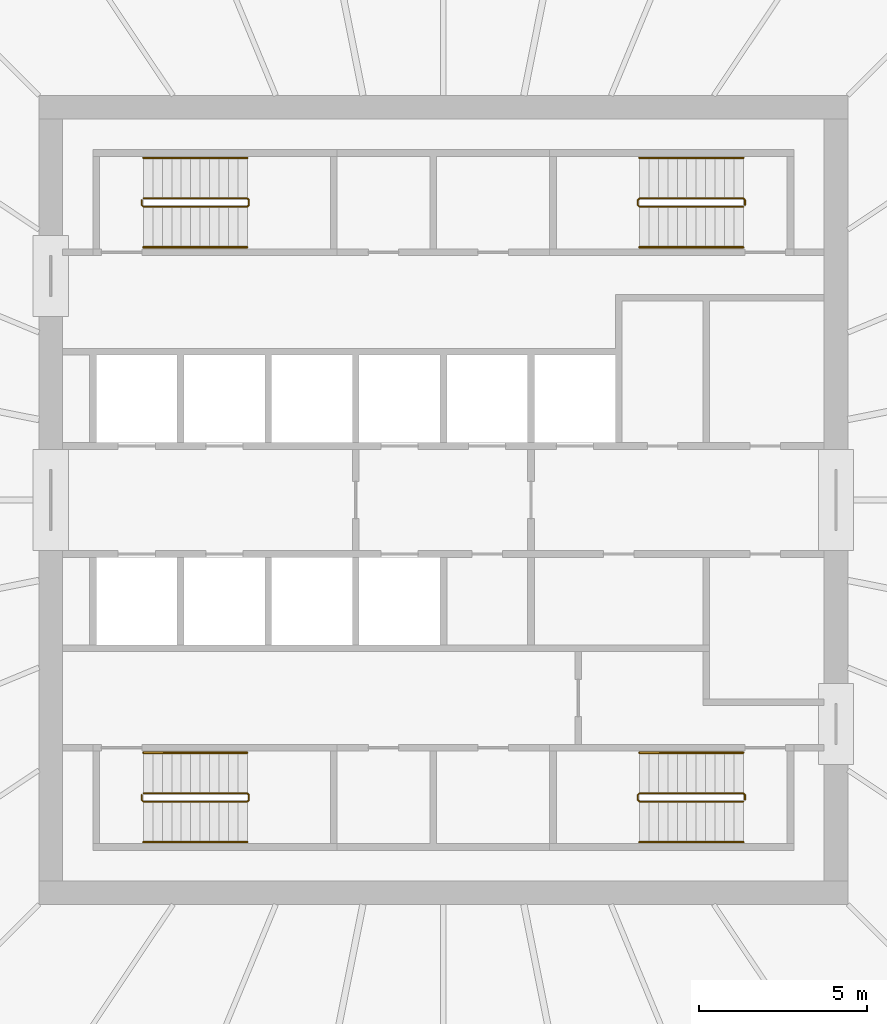
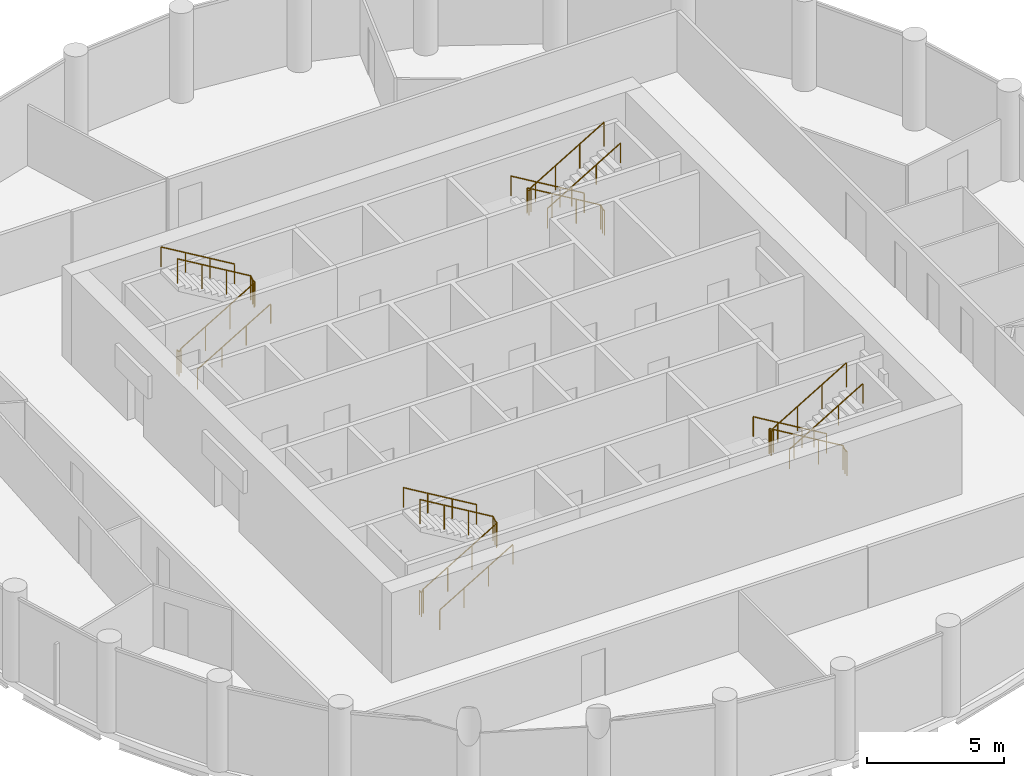
# One storey, part 7 of 7: 12 railings.
"""IFC4 building model written with IfcOpenShell, lengths in metres."""

from ifc_helpers import new_model, si_unit, direction, frame, origin, origin_2d, place, context, subcontext, project, spatial, circle, extrude, material, type_object, element, save


model = new_model("IFC4")

# Units and contexts
model_context = context("Model", 3, precision=1e-05, world=origin(), true_north=direction((0.0, 1.0)))
body_context = subcontext(model_context, "Body", "Model", "MODEL_VIEW")
ifc_project = project(units=[si_unit("LENGTHUNIT", "METRE"), si_unit("AREAUNIT", "SQUARE_METRE"), si_unit("VOLUMEUNIT", "CUBIC_METRE"), si_unit("PLANEANGLEUNIT", "RADIAN"), si_unit("MASSUNIT", "GRAM", prefix="KILO")], contexts=[model_context])

# Site, building, storey
site_placement = place(None, origin())
site = spatial("IfcSite", under=ifc_project, at=site_placement, CompositionType="ELEMENT")
building_placement = place(site_placement, origin())
building = spatial("IfcBuilding", under=site, at=building_placement, Name="Corvane Civic Tower", CompositionType="ELEMENT")
storey_placement = place(building_placement, frame((0.0, 0.0, 307.0)))
storey = spatial("IfcBuildingStorey", under=building, at=storey_placement, Name="L73", CompositionType="ELEMENT", Elevation=307.0)

# Railings
ifc_material_1 = material(Name="Steel ASTM A572 Gr 50", Category="steel")
railing_type_1 = type_object("IfcRailingType", Name="ST-GUARD-1100", PredefinedType="GUARDRAIL", material=ifc_material_1)
railing_1_placement = place(storey_placement, frame((8.949951171875, 8.75, 0.0)))
element("IfcRailing", 1, at=railing_1_placement, inside=storey, type_object=railing_type_1, Name="L73 ST1 stair guard 1", PredefinedType="GUARDRAIL", context=body_context, shape_type="SweptSolid", body=[
    extrude(circle(Radius=0.02392578125, at=origin_2d()), frame((0.0, 0.0, 1.076171875), z_axis=(0.0, 1.0, 0.0), x_axis=(-1.0, 0.0, 0.0)), (0.0, 0.0, 1.0), 0.14990234375),
    extrude(circle(Radius=0.02392578125, at=origin_2d()), frame((0.0, 0.14990234375, 1.076171875), z_axis=(-0.27628659633, 0.27628659633, 0.920506074601), x_axis=(-0.707106781187, -0.707106781187, 0.0)), (0.0, 0.0, 1.0), 0.18115234375),
    extrude(circle(Radius=0.02392578125, at=origin_2d()), frame((-0.050048828125, 0.199951171875, 1.24267578125), z_axis=(-0.859290745958, 0.0, 0.51148745235), x_axis=(0.0, -1.0, 0.0)), (0.0, 0.0, 1.0), 3.584228515625),
    extrude(circle(Radius=0.02392578125, at=origin_2d()), frame((-3.1298828125, 0.199951171875, 3.076171875), z_axis=(-0.707106781187, -0.707106781187, 0.0), x_axis=(0.707106781187, -0.707106781187, 0.0)), (0.0, 0.0, 1.0), 0.07080078125),
    extrude(circle(Radius=0.02392578125, at=origin_2d()), frame((-3.179931640625, 0.14990234375, 3.076171875), z_axis=(0.0, -1.0, 0.0), x_axis=(1.0, 0.0, 0.0)), (0.0, 0.0, 1.0), 0.14990234375),
    extrude(circle(Radius=0.02392578125, at=origin_2d()), frame((-3.179931640625, 0.0, 3.076171875), z_axis=(0.27628659633, -0.27628659633, 0.920506074601), x_axis=(0.707106781187, 0.707106781187, 0.0)), (0.0, 0.0, 1.0), 0.18115234375),
    extrude(circle(Radius=0.02392578125, at=origin_2d()), frame((-3.1298828125, -0.050048828125, 3.24267578125), z_axis=(0.859290745958, 0.0, 0.51148745235), x_axis=(0.0, 1.0, 0.0)), (0.0, 0.0, 1.0), 3.584228515625),
    extrude(circle(Radius=0.02099609375, at=origin_2d()), origin(), (0.0, 0.0, 1.0), 1.052001953125),
    extrude(circle(Radius=0.02099609375, at=origin_2d()), frame((0.0, 0.14990234375, 0.0)), (0.0, 0.0, 1.0), 1.052001953125),
    extrude(circle(Radius=0.02099609375, at=origin_2d()), frame((-0.050048828125, 0.199951171875, 0.166748046875)), (0.0, 0.0, 1.0), 1.052001953125),
    extrude(circle(Radius=0.02099609375, at=origin_2d()), frame((-1.07666015625, 0.199951171875, 0.77783203125)), (0.0, 0.0, 1.0), 1.052001953125),
    extrude(circle(Radius=0.02099609375, at=origin_2d()), frame((-2.103271484375, 0.199951171875, 1.388916015625)), (0.0, 0.0, 1.0), 1.052001953125),
    extrude(circle(Radius=0.02099609375, at=origin_2d()), frame((-3.1298828125, 0.199951171875, 2.0)), (0.0, 0.0, 1.0), 1.052001953125),
    extrude(circle(Radius=0.02099609375, at=origin_2d()), frame((-3.179931640625, 0.14990234375, 2.0)), (0.0, 0.0, 1.0), 1.052001953125),
    extrude(circle(Radius=0.02099609375, at=origin_2d()), frame((-3.179931640625, 0.0, 2.0)), (0.0, 0.0, 1.0), 1.052001953125),
    extrude(circle(Radius=0.02099609375, at=origin_2d()), frame((-3.1298828125, -0.050048828125, 2.166748046875)), (0.0, 0.0, 1.0), 1.052001953125),
    extrude(circle(Radius=0.02099609375, at=origin_2d()), frame((-2.103271484375, -0.050048828125, 2.77783203125)), (0.0, 0.0, 1.0), 1.052001953125),
    extrude(circle(Radius=0.02099609375, at=origin_2d()), frame((-1.07666015625, -0.050048828125, 3.388916015625)), (0.0, 0.0, 1.0), 1.052001953125),
    extrude(circle(Radius=0.02099609375, at=origin_2d()), frame((-0.050048828125, -0.050048828125, 4.0)), (0.0, 0.0, 1.0), 1.052001953125),
])
railing_2_placement = place(storey_placement, frame((8.949951171875, -8.89990234375, 0.0)))
element("IfcRailing", 2, at=railing_2_placement, inside=storey, type_object=railing_type_1, Name="L73 ST2 stair guard 1", PredefinedType="GUARDRAIL", context=body_context, shape_type="SweptSolid", body=[
    extrude(circle(Radius=0.02392578125, at=origin_2d()), frame((0.0, 0.0, 1.076171875), z_axis=(0.0, 1.0, 0.0), x_axis=(-1.0, 0.0, 0.0)), (0.0, 0.0, 1.0), 0.14990234375),
    extrude(circle(Radius=0.02392578125, at=origin_2d()), frame((0.0, 0.14990234375, 1.076171875), z_axis=(-0.27628659633, 0.27628659633, 0.920506074601), x_axis=(-0.707106781187, -0.707106781187, 0.0)), (0.0, 0.0, 1.0), 0.18115234375),
    extrude(circle(Radius=0.02392578125, at=origin_2d()), frame((-0.050048828125, 0.199951171875, 1.24267578125), z_axis=(-0.859290745958, 0.0, 0.51148745235), x_axis=(0.0, -1.0, 0.0)), (0.0, 0.0, 1.0), 3.584228515625),
    extrude(circle(Radius=0.02392578125, at=origin_2d()), frame((-3.1298828125, 0.199951171875, 3.076171875), z_axis=(-0.707106781187, -0.707106781187, 0.0), x_axis=(0.707106781187, -0.707106781187, 0.0)), (0.0, 0.0, 1.0), 0.07080078125),
    extrude(circle(Radius=0.02392578125, at=origin_2d()), frame((-3.179931640625, 0.14990234375, 3.076171875), z_axis=(0.0, -1.0, 0.0), x_axis=(1.0, 0.0, 0.0)), (0.0, 0.0, 1.0), 0.14990234375),
    extrude(circle(Radius=0.02392578125, at=origin_2d()), frame((-3.179931640625, 0.0, 3.076171875), z_axis=(0.27628659633, -0.27628659633, 0.920506074601), x_axis=(0.707106781187, 0.707106781187, 0.0)), (0.0, 0.0, 1.0), 0.18115234375),
    extrude(circle(Radius=0.02392578125, at=origin_2d()), frame((-3.1298828125, -0.050048828125, 3.24267578125), z_axis=(0.859290745958, 0.0, 0.51148745235), x_axis=(0.0, 1.0, 0.0)), (0.0, 0.0, 1.0), 3.584228515625),
    extrude(circle(Radius=0.02099609375, at=origin_2d()), origin(), (0.0, 0.0, 1.0), 1.052001953125),
    extrude(circle(Radius=0.02099609375, at=origin_2d()), frame((0.0, 0.14990234375, 0.0)), (0.0, 0.0, 1.0), 1.052001953125),
    extrude(circle(Radius=0.02099609375, at=origin_2d()), frame((-0.050048828125, 0.199951171875, 0.166748046875)), (0.0, 0.0, 1.0), 1.052001953125),
    extrude(circle(Radius=0.02099609375, at=origin_2d()), frame((-1.07666015625, 0.199951171875, 0.77783203125)), (0.0, 0.0, 1.0), 1.052001953125),
    extrude(circle(Radius=0.02099609375, at=origin_2d()), frame((-2.103271484375, 0.199951171875, 1.388916015625)), (0.0, 0.0, 1.0), 1.052001953125),
    extrude(circle(Radius=0.02099609375, at=origin_2d()), frame((-3.1298828125, 0.199951171875, 2.0)), (0.0, 0.0, 1.0), 1.052001953125),
    extrude(circle(Radius=0.02099609375, at=origin_2d()), frame((-3.179931640625, 0.14990234375, 2.0)), (0.0, 0.0, 1.0), 1.052001953125),
    extrude(circle(Radius=0.02099609375, at=origin_2d()), frame((-3.179931640625, 0.0, 2.0)), (0.0, 0.0, 1.0), 1.052001953125),
    extrude(circle(Radius=0.02099609375, at=origin_2d()), frame((-3.1298828125, -0.050048828125, 2.166748046875)), (0.0, 0.0, 1.0), 1.052001953125),
    extrude(circle(Radius=0.02099609375, at=origin_2d()), frame((-2.103271484375, -0.050048828125, 2.77783203125)), (0.0, 0.0, 1.0), 1.052001953125),
    extrude(circle(Radius=0.02099609375, at=origin_2d()), frame((-1.07666015625, -0.050048828125, 3.388916015625)), (0.0, 0.0, 1.0), 1.052001953125),
    extrude(circle(Radius=0.02099609375, at=origin_2d()), frame((-0.050048828125, -0.050048828125, 4.0)), (0.0, 0.0, 1.0), 1.052001953125),
])
railing_3_placement = place(storey_placement, frame((-8.949951171875, -8.75, 0.0)))
element("IfcRailing", 3, at=railing_3_placement, inside=storey, type_object=railing_type_1, Name="L73 ST3 stair guard 1", PredefinedType="GUARDRAIL", context=body_context, shape_type="SweptSolid", body=[
    extrude(circle(Radius=0.02392578125, at=origin_2d()), frame((0.0, 0.0, 1.076171875), z_axis=(0.0, -1.0, 0.0), x_axis=(1.0, 0.0, 0.0)), (0.0, 0.0, 1.0), 0.14990234375),
    extrude(circle(Radius=0.02392578125, at=origin_2d()), frame((0.0, -0.14990234375, 1.076171875), z_axis=(0.27628659633, -0.27628659633, 0.920506074601), x_axis=(0.707106781187, 0.707106781187, 0.0)), (0.0, 0.0, 1.0), 0.18115234375),
    extrude(circle(Radius=0.02392578125, at=origin_2d()), frame((0.050048828125, -0.199951171875, 1.24267578125), z_axis=(0.859290745958, 0.0, 0.51148745235), x_axis=(0.0, 1.0, 0.0)), (0.0, 0.0, 1.0), 3.584228515625),
    extrude(circle(Radius=0.02392578125, at=origin_2d()), frame((3.1298828125, -0.199951171875, 3.076171875), z_axis=(0.707106781187, 0.707106781187, 0.0), x_axis=(-0.707106781187, 0.707106781187, 0.0)), (0.0, 0.0, 1.0), 0.07080078125),
    extrude(circle(Radius=0.02392578125, at=origin_2d()), frame((3.179931640625, -0.14990234375, 3.076171875), z_axis=(0.0, 1.0, 0.0), x_axis=(-1.0, 0.0, 0.0)), (0.0, 0.0, 1.0), 0.14990234375),
    extrude(circle(Radius=0.02392578125, at=origin_2d()), frame((3.179931640625, 0.0, 3.076171875), z_axis=(-0.27628659633, 0.27628659633, 0.920506074601), x_axis=(-0.707106781187, -0.707106781187, 0.0)), (0.0, 0.0, 1.0), 0.18115234375),
    extrude(circle(Radius=0.02392578125, at=origin_2d()), frame((3.1298828125, 0.050048828125, 3.24267578125), z_axis=(-0.859290745958, 0.0, 0.51148745235), x_axis=(0.0, -1.0, 0.0)), (0.0, 0.0, 1.0), 3.584228515625),
    extrude(circle(Radius=0.02099609375, at=origin_2d()), origin(), (0.0, 0.0, 1.0), 1.052001953125),
    extrude(circle(Radius=0.02099609375, at=origin_2d()), frame((0.0, -0.14990234375, 0.0)), (0.0, 0.0, 1.0), 1.052001953125),
    extrude(circle(Radius=0.02099609375, at=origin_2d()), frame((0.050048828125, -0.199951171875, 0.166748046875)), (0.0, 0.0, 1.0), 1.052001953125),
    extrude(circle(Radius=0.02099609375, at=origin_2d()), frame((1.07666015625, -0.199951171875, 0.77783203125)), (0.0, 0.0, 1.0), 1.052001953125),
    extrude(circle(Radius=0.02099609375, at=origin_2d()), frame((2.103271484375, -0.199951171875, 1.388916015625)), (0.0, 0.0, 1.0), 1.052001953125),
    extrude(circle(Radius=0.02099609375, at=origin_2d()), frame((3.1298828125, -0.199951171875, 2.0)), (0.0, 0.0, 1.0), 1.052001953125),
    extrude(circle(Radius=0.02099609375, at=origin_2d()), frame((3.179931640625, -0.14990234375, 2.0)), (0.0, 0.0, 1.0), 1.052001953125),
    extrude(circle(Radius=0.02099609375, at=origin_2d()), frame((3.179931640625, 0.0, 2.0)), (0.0, 0.0, 1.0), 1.052001953125),
    extrude(circle(Radius=0.02099609375, at=origin_2d()), frame((3.1298828125, 0.050048828125, 2.166748046875)), (0.0, 0.0, 1.0), 1.052001953125),
    extrude(circle(Radius=0.02099609375, at=origin_2d()), frame((2.103271484375, 0.050048828125, 2.77783203125)), (0.0, 0.0, 1.0), 1.052001953125),
    extrude(circle(Radius=0.02099609375, at=origin_2d()), frame((1.07666015625, 0.050048828125, 3.388916015625)), (0.0, 0.0, 1.0), 1.052001953125),
    extrude(circle(Radius=0.02099609375, at=origin_2d()), frame((0.050048828125, 0.050048828125, 4.0)), (0.0, 0.0, 1.0), 1.052001953125),
])
railing_4_placement = place(storey_placement, frame((-8.949951171875, 8.89990234375, 0.0)))
element("IfcRailing", 4, at=railing_4_placement, inside=storey, type_object=railing_type_1, Name="L73 ST4 stair guard 1", PredefinedType="GUARDRAIL", context=body_context, shape_type="SweptSolid", body=[
    extrude(circle(Radius=0.02392578125, at=origin_2d()), frame((0.0, 0.0, 1.076171875), z_axis=(0.0, -1.0, 0.0), x_axis=(1.0, 0.0, 0.0)), (0.0, 0.0, 1.0), 0.14990234375),
    extrude(circle(Radius=0.02392578125, at=origin_2d()), frame((0.0, -0.14990234375, 1.076171875), z_axis=(0.27628659633, -0.27628659633, 0.920506074601), x_axis=(0.707106781187, 0.707106781187, 0.0)), (0.0, 0.0, 1.0), 0.18115234375),
    extrude(circle(Radius=0.02392578125, at=origin_2d()), frame((0.050048828125, -0.199951171875, 1.24267578125), z_axis=(0.859290745958, 0.0, 0.51148745235), x_axis=(0.0, 1.0, 0.0)), (0.0, 0.0, 1.0), 3.584228515625),
    extrude(circle(Radius=0.02392578125, at=origin_2d()), frame((3.1298828125, -0.199951171875, 3.076171875), z_axis=(0.707106781187, 0.707106781187, 0.0), x_axis=(-0.707106781187, 0.707106781187, 0.0)), (0.0, 0.0, 1.0), 0.07080078125),
    extrude(circle(Radius=0.02392578125, at=origin_2d()), frame((3.179931640625, -0.14990234375, 3.076171875), z_axis=(0.0, 1.0, 0.0), x_axis=(-1.0, 0.0, 0.0)), (0.0, 0.0, 1.0), 0.14990234375),
    extrude(circle(Radius=0.02392578125, at=origin_2d()), frame((3.179931640625, 0.0, 3.076171875), z_axis=(-0.27628659633, 0.27628659633, 0.920506074601), x_axis=(-0.707106781187, -0.707106781187, 0.0)), (0.0, 0.0, 1.0), 0.18115234375),
    extrude(circle(Radius=0.02392578125, at=origin_2d()), frame((3.1298828125, 0.050048828125, 3.24267578125), z_axis=(-0.859290745958, 0.0, 0.51148745235), x_axis=(0.0, -1.0, 0.0)), (0.0, 0.0, 1.0), 3.584228515625),
    extrude(circle(Radius=0.02099609375, at=origin_2d()), origin(), (0.0, 0.0, 1.0), 1.052001953125),
    extrude(circle(Radius=0.02099609375, at=origin_2d()), frame((0.0, -0.14990234375, 0.0)), (0.0, 0.0, 1.0), 1.052001953125),
    extrude(circle(Radius=0.02099609375, at=origin_2d()), frame((0.050048828125, -0.199951171875, 0.166748046875)), (0.0, 0.0, 1.0), 1.052001953125),
    extrude(circle(Radius=0.02099609375, at=origin_2d()), frame((1.07666015625, -0.199951171875, 0.77783203125)), (0.0, 0.0, 1.0), 1.052001953125),
    extrude(circle(Radius=0.02099609375, at=origin_2d()), frame((2.103271484375, -0.199951171875, 1.388916015625)), (0.0, 0.0, 1.0), 1.052001953125),
    extrude(circle(Radius=0.02099609375, at=origin_2d()), frame((3.1298828125, -0.199951171875, 2.0)), (0.0, 0.0, 1.0), 1.052001953125),
    extrude(circle(Radius=0.02099609375, at=origin_2d()), frame((3.179931640625, -0.14990234375, 2.0)), (0.0, 0.0, 1.0), 1.052001953125),
    extrude(circle(Radius=0.02099609375, at=origin_2d()), frame((3.179931640625, 0.0, 2.0)), (0.0, 0.0, 1.0), 1.052001953125),
    extrude(circle(Radius=0.02099609375, at=origin_2d()), frame((3.1298828125, 0.050048828125, 2.166748046875)), (0.0, 0.0, 1.0), 1.052001953125),
    extrude(circle(Radius=0.02099609375, at=origin_2d()), frame((2.103271484375, 0.050048828125, 2.77783203125)), (0.0, 0.0, 1.0), 1.052001953125),
    extrude(circle(Radius=0.02099609375, at=origin_2d()), frame((1.07666015625, 0.050048828125, 3.388916015625)), (0.0, 0.0, 1.0), 1.052001953125),
    extrude(circle(Radius=0.02099609375, at=origin_2d()), frame((0.050048828125, 0.050048828125, 4.0)), (0.0, 0.0, 1.0), 1.052001953125),
])
ifc_material_2 = material(Name="Steel ASTM A572 Gr 50", Category="steel")
railing_type_2 = type_object("IfcRailingType", Name="ST-HANDRAIL-900", PredefinedType="HANDRAIL", material=ifc_material_2)
railing_5_placement = place(storey_placement, frame((8.89990234375, 10.14990234375, 0.166748046875)))
element("IfcRailing", 5, at=railing_5_placement, inside=storey, type_object=railing_type_2, Name="L73 ST1 stair handrail 1", PredefinedType="HANDRAIL", context=body_context, shape_type="SweptSolid", body=[
    extrude(circle(Radius=0.02392578125, at=origin_2d()), frame((0.0, 0.0, 0.8759765625), z_axis=(-0.859290745958, 0.0, 0.51148745235), x_axis=(0.0, -1.0, 0.0)), (0.0, 0.0, 1.0), 3.584228515625),
    extrude(circle(Radius=0.02099609375, at=origin_2d()), origin(), (0.0, 0.0, 1.0), 0.851806640625),
    extrude(circle(Radius=0.02099609375, at=origin_2d()), frame((-1.026611328125, 0.0, 0.611083984375)), (0.0, 0.0, 1.0), 0.851806640625),
    extrude(circle(Radius=0.02099609375, at=origin_2d()), frame((-2.05322265625, 0.0, 1.22216796875)), (0.0, 0.0, 1.0), 0.851806640625),
    extrude(circle(Radius=0.02099609375, at=origin_2d()), frame((-3.079833984375, 0.0, 1.833251953125)), (0.0, 0.0, 1.0), 0.851806640625),
])
railing_6_placement = place(storey_placement, frame((5.820068359375, 7.5, 2.166748046875)))
element("IfcRailing", 6, at=railing_6_placement, inside=storey, type_object=railing_type_2, Name="L73 ST1 stair handrail 2", PredefinedType="HANDRAIL", context=body_context, shape_type="SweptSolid", body=[
    extrude(circle(Radius=0.02392578125, at=origin_2d()), frame((0.0, 0.0, 0.8759765625), z_axis=(0.859290745958, 0.0, 0.51148745235), x_axis=(0.0, 1.0, 0.0)), (0.0, 0.0, 1.0), 3.584228515625),
    extrude(circle(Radius=0.02099609375, at=origin_2d()), origin(), (0.0, 0.0, 1.0), 0.851806640625),
    extrude(circle(Radius=0.02099609375, at=origin_2d()), frame((1.026611328125, 0.0, 0.611083984375)), (0.0, 0.0, 1.0), 0.851806640625),
    extrude(circle(Radius=0.02099609375, at=origin_2d()), frame((2.05322265625, 0.0, 1.22216796875)), (0.0, 0.0, 1.0), 0.851806640625),
    extrude(circle(Radius=0.02099609375, at=origin_2d()), frame((3.079833984375, 0.0, 1.833251953125)), (0.0, 0.0, 1.0), 0.851806640625),
])
railing_7_placement = place(storey_placement, frame((8.89990234375, -7.5, 0.166748046875)))
element("IfcRailing", 7, at=railing_7_placement, inside=storey, type_object=railing_type_2, Name="L73 ST2 stair handrail 1", PredefinedType="HANDRAIL", context=body_context, shape_type="SweptSolid", body=[
    extrude(circle(Radius=0.02392578125, at=origin_2d()), frame((0.0, 0.0, 0.8759765625), z_axis=(-0.859290745958, 0.0, 0.51148745235), x_axis=(0.0, -1.0, 0.0)), (0.0, 0.0, 1.0), 3.584228515625),
    extrude(circle(Radius=0.02099609375, at=origin_2d()), origin(), (0.0, 0.0, 1.0), 0.851806640625),
    extrude(circle(Radius=0.02099609375, at=origin_2d()), frame((-1.026611328125, 0.0, 0.611083984375)), (0.0, 0.0, 1.0), 0.851806640625),
    extrude(circle(Radius=0.02099609375, at=origin_2d()), frame((-2.05322265625, 0.0, 1.22216796875)), (0.0, 0.0, 1.0), 0.851806640625),
    extrude(circle(Radius=0.02099609375, at=origin_2d()), frame((-3.079833984375, 0.0, 1.833251953125)), (0.0, 0.0, 1.0), 0.851806640625),
])
for number, where, name in (
    (8, (5.820068359375, -10.14990234375, 2.166748046875), "L73 ST2 stair handrail 2"),
    (9, (-8.89990234375, -10.14990234375, 0.166748046875), "L73 ST3 stair handrail 1"),
):
    element("IfcRailing", number, at=place(storey_placement, frame(where)), inside=storey, type_object=railing_type_2, Name=name, PredefinedType="HANDRAIL", context=body_context, shape_type="SweptSolid", body=[
        extrude(circle(Radius=0.02392578125, at=origin_2d()), frame((0.0, 0.0, 0.8759765625), z_axis=(0.859290745958, 0.0, 0.51148745235), x_axis=(0.0, 1.0, 0.0)), (0.0, 0.0, 1.0), 3.584228515625),
        extrude(circle(Radius=0.02099609375, at=origin_2d()), origin(), (0.0, 0.0, 1.0), 0.851806640625),
        extrude(circle(Radius=0.02099609375, at=origin_2d()), frame((1.026611328125, 0.0, 0.611083984375)), (0.0, 0.0, 1.0), 0.851806640625),
        extrude(circle(Radius=0.02099609375, at=origin_2d()), frame((2.05322265625, 0.0, 1.22216796875)), (0.0, 0.0, 1.0), 0.851806640625),
        extrude(circle(Radius=0.02099609375, at=origin_2d()), frame((3.079833984375, 0.0, 1.833251953125)), (0.0, 0.0, 1.0), 0.851806640625),
    ])
railing_8_placement = place(storey_placement, frame((-5.820068359375, -7.5, 2.166748046875)))
element("IfcRailing", 10, at=railing_8_placement, inside=storey, type_object=railing_type_2, Name="L73 ST3 stair handrail 2", PredefinedType="HANDRAIL", context=body_context, shape_type="SweptSolid", body=[
    extrude(circle(Radius=0.02392578125, at=origin_2d()), frame((0.0, 0.0, 0.8759765625), z_axis=(-0.859290745958, 0.0, 0.51148745235), x_axis=(0.0, -1.0, 0.0)), (0.0, 0.0, 1.0), 3.584228515625),
    extrude(circle(Radius=0.02099609375, at=origin_2d()), origin(), (0.0, 0.0, 1.0), 0.851806640625),
    extrude(circle(Radius=0.02099609375, at=origin_2d()), frame((-1.026611328125, 0.0, 0.611083984375)), (0.0, 0.0, 1.0), 0.851806640625),
    extrude(circle(Radius=0.02099609375, at=origin_2d()), frame((-2.05322265625, 0.0, 1.22216796875)), (0.0, 0.0, 1.0), 0.851806640625),
    extrude(circle(Radius=0.02099609375, at=origin_2d()), frame((-3.079833984375, 0.0, 1.833251953125)), (0.0, 0.0, 1.0), 0.851806640625),
])
railing_9_placement = place(storey_placement, frame((-8.89990234375, 7.5, 0.166748046875)))
element("IfcRailing", 11, at=railing_9_placement, inside=storey, type_object=railing_type_2, Name="L73 ST4 stair handrail 1", PredefinedType="HANDRAIL", context=body_context, shape_type="SweptSolid", body=[
    extrude(circle(Radius=0.02392578125, at=origin_2d()), frame((0.0, 0.0, 0.8759765625), z_axis=(0.859290745958, 0.0, 0.51148745235), x_axis=(0.0, 1.0, 0.0)), (0.0, 0.0, 1.0), 3.584228515625),
    extrude(circle(Radius=0.02099609375, at=origin_2d()), origin(), (0.0, 0.0, 1.0), 0.851806640625),
    extrude(circle(Radius=0.02099609375, at=origin_2d()), frame((1.026611328125, 0.0, 0.611083984375)), (0.0, 0.0, 1.0), 0.851806640625),
    extrude(circle(Radius=0.02099609375, at=origin_2d()), frame((2.05322265625, 0.0, 1.22216796875)), (0.0, 0.0, 1.0), 0.851806640625),
    extrude(circle(Radius=0.02099609375, at=origin_2d()), frame((3.079833984375, 0.0, 1.833251953125)), (0.0, 0.0, 1.0), 0.851806640625),
])
railing_10_placement = place(storey_placement, frame((-5.820068359375, 10.14990234375, 2.166748046875)))
element("IfcRailing", 12, at=railing_10_placement, inside=storey, type_object=railing_type_2, Name="L73 ST4 stair handrail 2", PredefinedType="HANDRAIL", context=body_context, shape_type="SweptSolid", body=[
    extrude(circle(Radius=0.02392578125, at=origin_2d()), frame((0.0, 0.0, 0.8759765625), z_axis=(-0.859290745958, 0.0, 0.51148745235), x_axis=(0.0, -1.0, 0.0)), (0.0, 0.0, 1.0), 3.584228515625),
    extrude(circle(Radius=0.02099609375, at=origin_2d()), origin(), (0.0, 0.0, 1.0), 0.851806640625),
    extrude(circle(Radius=0.02099609375, at=origin_2d()), frame((-1.026611328125, 0.0, 0.611083984375)), (0.0, 0.0, 1.0), 0.851806640625),
    extrude(circle(Radius=0.02099609375, at=origin_2d()), frame((-2.05322265625, 0.0, 1.22216796875)), (0.0, 0.0, 1.0), 0.851806640625),
    extrude(circle(Radius=0.02099609375, at=origin_2d()), frame((-3.079833984375, 0.0, 1.833251953125)), (0.0, 0.0, 1.0), 0.851806640625),
])

save(model, "model.ifc")
